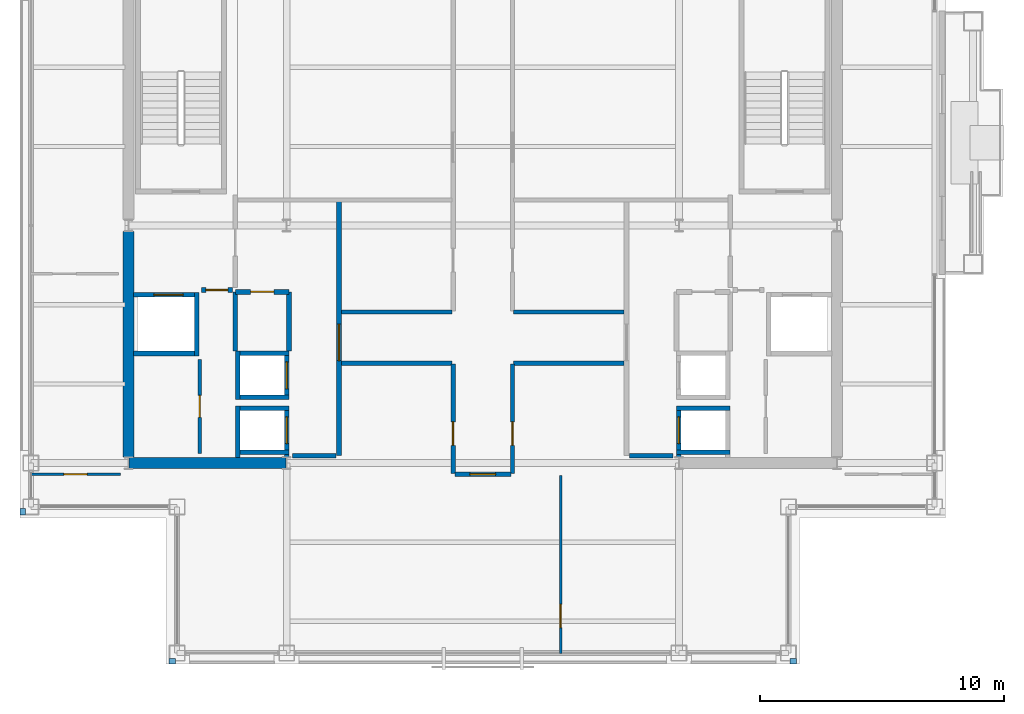
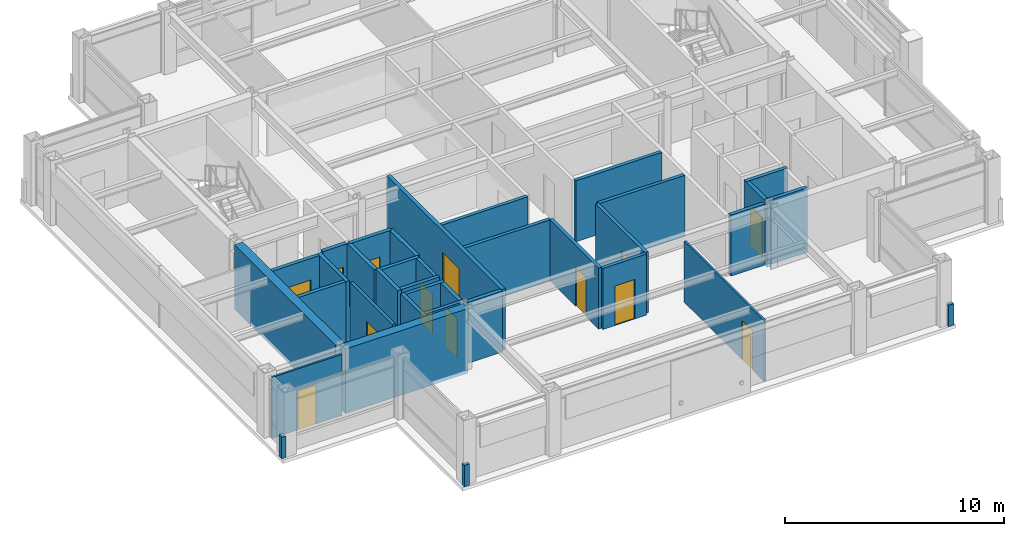
# One storey, part 19 of 23: 36 walls, 13 doors, 13 openings.
"""IFC4 building model written with IfcOpenShell, lengths in metres."""

from ifc_helpers import new_model, si_unit, direction, frame, frame_2d, origin, place, context, subcontext, project, spatial, rectangle, extrude, material, layer, layer_set, type_object, element, fill, save


model = new_model("IFC4")

# Units and contexts
model_context = context("Model", 3, precision=1e-05, world=origin(), true_north=direction((0.0, 1.0)))
body_context = subcontext(model_context, "Body", "Model", "MODEL_VIEW")
ifc_project = project(units=[si_unit("LENGTHUNIT", "METRE"), si_unit("AREAUNIT", "SQUARE_METRE"), si_unit("VOLUMEUNIT", "CUBIC_METRE"), si_unit("PLANEANGLEUNIT", "RADIAN"), si_unit("MASSUNIT", "GRAM", prefix="KILO")], contexts=[model_context])

# Site, building, storey
site_placement = place(None, origin())
site = spatial("IfcSite", under=ifc_project, at=site_placement, CompositionType="ELEMENT")
building_placement = place(site_placement, origin())
building = spatial("IfcBuilding", under=site, at=building_placement, Name="Brelmoor Portico Tower", CompositionType="ELEMENT")
storey_placement = place(building_placement, frame((0.0, 0.0, 222.0)))
storey = spatial("IfcBuildingStorey", under=building, at=storey_placement, Name="L58", CompositionType="ELEMENT", Elevation=222.0)

# Walls
ifc_material_1 = material(Name="Concrete C50", Category="concrete")
ifc_layer_1 = layer(ifc_material_1, 0.449951171875)
ifc_layer_set_1 = layer_set([ifc_layer_1], Name="Concrete C50")
wall_type_1 = type_object("IfcWallType", Name="WL-CORE-450", PredefinedType="SHEAR", material=ifc_layer_set_1)
wall_1_placement = place(storey_placement, frame((-14.530029296875, -9.75, -0.199951171875), z_axis=(0.0, 0.0, 1.0), x_axis=(1.0, 0.0, 0.0)))
element("IfcWall", 1, at=wall_1_placement, inside=storey, type_object=wall_type_1, Name="L58 WC South Shear Wall", PredefinedType="SHEAR", context=body_context, shape_type="SweptSolid", body=[
    extrude(rectangle(XDim=6.4599609375, YDim=0.449951171875, at=frame_2d((3.22998046875, 0.0))), origin(), (0.0, 0.0, 1.0), 3.599853515625),
])
wall_2_placement = place(storey_placement, frame((-14.550048828125, -9.5, -0.199951171875), z_axis=(0.0, 0.0, 1.0), x_axis=(0.0, 1.0, 0.0)))
element("IfcWall", 2, at=wall_2_placement, inside=storey, type_object=wall_type_1, Name="L58 WC Outer South Shear Wall", PredefinedType="SHEAR", context=body_context, shape_type="SweptSolid", body=[
    extrude(rectangle(XDim=9.25, YDim=0.449951171875, at=frame_2d((4.625, 0.0))), origin(), (0.0, 0.0, 1.0), 3.599853515625),
])
ifc_material_2 = material(Name="Concrete C40 Parapet Upstand", Category="concrete")
ifc_layer_2 = layer(ifc_material_2, 0.219970703125)
ifc_layer_set_2 = layer_set([ifc_layer_2], Name="Concrete C40 Parapet Upstand")
wall_type_2 = type_object("IfcWallType", Name="WL-PARAPET-220", PredefinedType="PARAPET", material=ifc_layer_set_2)
for number, where, z_axis, x_axis, name in (
    (3, (-12.889892578125, -17.889892578125, 0.0), (0.0, 0.0, 1.0), (1.0, 0.0, 0.0), "L58 Chamfer Vertex Parapet Pier SW1"),
    (4, (-18.889892578125, -11.889892578125, 0.0), (0.0, 0.0, 1.0), (0.0, 1.0, 0.0), "L58 Chamfer Vertex Parapet Pier SW2"),
    (5, (12.6201171875, -17.889892578125, 0.0), (0.0, 0.0, 1.0), (1.0, 0.0, 0.0), "L58 Chamfer Vertex Parapet Pier SE1"),
):
    element("IfcWall", number, at=place(storey_placement, frame(where, z_axis=z_axis, x_axis=x_axis)), inside=storey, type_object=wall_type_2, Name=name, PredefinedType="PARAPET", context=body_context, shape_type="SweptSolid", body=[
        extrude(rectangle(XDim=0.269775390625, YDim=0.219970703125, at=frame_2d((0.134765625, 0.0))), origin(), (0.0, 0.0, 1.0), 1.199951171875),
    ])

# Wall, opening, door
ifc_material_3 = material(Name="Demountable Glazed Office Partition", Category="aluminium")
ifc_layer_3 = layer(ifc_material_3, 0.10009765625)
ifc_layer_set_3 = layer_set([ifc_layer_3], Name="Demountable Glazed Office Partition")
wall_type_3 = type_object("IfcWallType", Name="WL-PART-100", PredefinedType="PARTITIONING", material=ifc_layer_set_3)
wall_3_placement = place(storey_placement, frame((3.19482421875, -17.56005859375, 0.0), z_axis=(0.0, 0.0, 1.0), x_axis=(0.0, 1.0, 0.0)))
wall_3 = element("IfcWall", 6, at=wall_3_placement, inside=storey, type_object=wall_type_3, Name="L58 South Suite Partition 1", PredefinedType="PARTITIONING", context=body_context, shape_type="SweptSolid", body=[
    extrude(rectangle(XDim=7.2900390625, YDim=0.10009765625, at=frame_2d((3.64501953125, 0.0))), origin(), (0.0, 0.0, 1.0), 3.39990234375),
])
opening_1_placement = place(wall_3_placement, frame((1.050048828125, 0.0, 0.0)))
opening_1 = element("IfcOpeningElement", 7, at=opening_1_placement, cuts=wall_3, Name="Opening D-IN2", PredefinedType="OPENING", context=body_context, shape_type="SweptSolid", body=[
    extrude(rectangle(XDim=0.9599609375, YDim=2.179931640625, at=frame_2d((0.47998046875, 1.08984375))), frame((0.0, 0.06005859375, 0.0), z_axis=(0.0, -1.0, 0.0), x_axis=(1.0, 0.0, 0.0)), (0.0, 0.0, 1.0), 0.1201171875),
])
ifc_material_4 = material(Name="Lacquered Timber Suite Door", Category="wood")
door_type_1 = type_object("IfcDoorType", Name="DR-INT-950", OperationType="NOTDEFINED", PredefinedType="DOOR", material=ifc_material_4)
door_1_placement = place(opening_1_placement, origin())
door_1 = element("IfcDoor", 8, at=door_1_placement, inside=storey, type_object=door_type_1, Name="D-2420 L58 South Suite Connecting Door 1", OperationType="SINGLE_SWING_RIGHT", OverallHeight=2.179931640625, OverallWidth=0.9599609375, PredefinedType="DOOR", context=body_context, shape_type="SweptSolid", body=[
    extrude(rectangle(XDim=0.9599609375, YDim=2.179931640625, at=frame_2d((0.47998046875, 1.08984375))), frame((0.0, 0.02490234375, 0.0), z_axis=(0.0, -1.0, 0.0), x_axis=(1.0, 0.0, 0.0)), (0.0, 0.0, 1.0), 0.050048828125),
])
fill(opening_1, door_1)

wall_4_placement = place(storey_placement, frame((-18.56005859375, -10.2099609375, 0.0), z_axis=(0.0, 0.0, 1.0), x_axis=(1.0, 0.0, 0.0)))
wall_4 = element("IfcWall", 9, at=wall_4_placement, inside=storey, type_object=wall_type_3, Name="L58 South Wing Closure WL", PredefinedType="PARTITIONING", context=body_context, shape_type="SweptSolid", body=[
    extrude(rectangle(XDim=3.68017578125, YDim=0.10009765625, at=frame_2d((1.840087890625, 0.0))), origin(), (0.0, 0.0, 1.0), 3.39990234375),
])
opening_2_placement = place(wall_4_placement, frame((1.360107421875, 0.0, 0.0)))
opening_2 = element("IfcOpeningElement", 10, at=opening_2_placement, cuts=wall_4, Name="Opening D-IN2", PredefinedType="OPENING", context=body_context, shape_type="SweptSolid", body=[
    extrude(rectangle(XDim=0.9599609375, YDim=2.179931640625, at=frame_2d((0.47998046875, 1.08984375))), frame((0.0, 0.06005859375, 0.0), z_axis=(0.0, -1.0, 0.0), x_axis=(1.0, 0.0, 0.0)), (0.0, 0.0, 1.0), 0.1201171875),
])
door_2_placement = place(opening_2_placement, origin())
door_2 = element("IfcDoor", 11, at=door_2_placement, inside=storey, type_object=door_type_1, Name="D-2424 L58 WL Wing South Suite Door", OperationType="SINGLE_SWING_RIGHT", OverallHeight=2.179931640625, OverallWidth=0.9599609375, PredefinedType="DOOR", context=body_context, shape_type="SweptSolid", body=[
    extrude(rectangle(XDim=0.9599609375, YDim=2.179931640625, at=frame_2d((0.47998046875, 1.08984375))), frame((0.0, 0.02490234375, 0.0), z_axis=(0.0, -1.0, 0.0), x_axis=(1.0, 0.0, 0.0)), (0.0, 0.0, 1.0), 0.050048828125),
])
fill(opening_2, door_2)

ifc_material_5 = material(Name="Twin-Frame Acoustic Partition", Category="gypsum")
ifc_layer_4 = layer(ifc_material_5, 0.159912109375)
ifc_layer_set_4 = layer_set([ifc_layer_4], Name="Twin-Frame Acoustic Partition")
wall_type_4 = type_object("IfcWallType", Name="WL-PART-160", PredefinedType="PARTITIONING", material=ifc_layer_set_4)
wall_5_placement = place(storey_placement, frame((-11.6201171875, -9.35009765625, 0.0), z_axis=(0.0, 0.0, 1.0), x_axis=(0.0, 1.0, 0.0)))
wall_5 = element("IfcWall", 12, at=wall_5_placement, inside=storey, type_object=wall_type_4, Name="L58 W Core Service Front Wall", PredefinedType="PARTITIONING", context=body_context, shape_type="SweptSolid", body=[
    extrude(rectangle(XDim=3.85009765625, YDim=0.159912109375, at=frame_2d((1.925048828125, 0.0))), origin(), (0.0, 0.0, 1.0), 3.39990234375),
])
opening_3_placement = place(wall_5_placement, frame((1.47509765625, 0.0, 0.0)))
opening_3 = element("IfcOpeningElement", 13, at=opening_3_placement, cuts=wall_5, Name="Opening D-IN1", PredefinedType="OPENING", context=body_context, shape_type="SweptSolid", body=[
    extrude(rectangle(XDim=0.89990234375, YDim=2.14990234375, at=frame_2d((0.449951171875, 1.074951171875))), frame((0.0, 0.08984375, 0.0), z_axis=(0.0, -1.0, 0.0), x_axis=(1.0, 0.0, 0.0)), (0.0, 0.0, 1.0), 0.179931640625),
])
door_type_2 = type_object("IfcDoorType", Name="DR-INT-900", OperationType="NOTDEFINED", PredefinedType="DOOR", material=ifc_material_4)
door_3_placement = place(opening_3_placement, origin())
door_3 = element("IfcDoor", 14, at=door_3_placement, inside=storey, type_object=door_type_2, Name="D-2407 L58 W Accessible WC Door", OperationType="SINGLE_SWING_RIGHT", OverallHeight=2.14990234375, OverallWidth=0.89990234375, PredefinedType="DOOR", context=body_context, shape_type="SweptSolid", body=[
    extrude(rectangle(XDim=0.89990234375, YDim=2.14990234375, at=frame_2d((0.449951171875, 1.074951171875))), frame((0.0, 0.02490234375, 0.0), z_axis=(0.0, -1.0, 0.0), x_axis=(1.0, 0.0, 0.0)), (0.0, 0.0, 1.0), 0.050048828125),
])
fill(opening_3, door_3)

# Walls
ifc_material_6 = material(Name="Acoustic Corridor Fire Partition", Category="gypsum")
ifc_layer_5 = layer(ifc_material_6, 0.179931640625)
ifc_layer_set_5 = layer_set([ifc_layer_5], Name="Acoustic Corridor Fire Partition")
wall_type_5 = type_object("IfcWallType", Name="WL-PART-180", PredefinedType="PARTITIONING", material=ifc_layer_set_5)
for number, where, z_axis, x_axis, name in (
    (15, (-5.800048828125, -3.550048828125, 0.0), (0.0, 0.0, 1.0), (1.0, 0.0, 0.0), "L58 West Pantry South Wall"),
    (16, (1.260009765625, -3.550048828125, 0.0), (0.0, 0.0, 1.0), (1.0, 0.0, 0.0), "L58 East Office South Wall"),
):
    element("IfcWall", number, at=place(storey_placement, frame(where, z_axis=z_axis, x_axis=x_axis)), inside=storey, type_object=wall_type_5, Name=name, PredefinedType="PARTITIONING", context=body_context, shape_type="SweptSolid", body=[
        extrude(rectangle(XDim=4.5400390625, YDim=0.179931640625, at=frame_2d((2.27001953125, 0.0))), origin(), (0.0, 0.0, 1.0), 3.39990234375),
    ])

# Wall, opening, door
wall_6_placement = place(storey_placement, frame((-1.219970703125, -10.169921875, 0.0), z_axis=(0.0, 0.0, 1.0), x_axis=(0.0, 1.0, 0.0)))
wall_6 = element("IfcWall", 17, at=wall_6_placement, inside=storey, type_object=wall_type_5, Name="L58 South Cross West Wall", PredefinedType="PARTITIONING", context=body_context, shape_type="SweptSolid", body=[
    extrude(rectangle(XDim=4.489990234375, YDim=0.179931640625, at=frame_2d((2.2451171875, 0.0))), origin(), (0.0, 0.0, 1.0), 3.39990234375),
])
opening_4_placement = place(wall_6_placement, frame((1.14990234375, 0.0, 0.0)))
opening_4 = element("IfcOpeningElement", 18, at=opening_4_placement, cuts=wall_6, Name="Opening D-IN2", PredefinedType="OPENING", context=body_context, shape_type="SweptSolid", body=[
    extrude(rectangle(XDim=0.9599609375, YDim=2.179931640625, at=frame_2d((0.47998046875, 1.08984375))), frame((0.0, 0.099853515625, 0.0), z_axis=(0.0, -1.0, 0.0), x_axis=(1.0, 0.0, 0.0)), (0.0, 0.0, 1.0), 0.199951171875),
])
door_4_placement = place(opening_4_placement, origin())
door_4 = element("IfcDoor", 19, at=door_4_placement, inside=storey, type_object=door_type_1, Name="D-2401 L58 South-West Archive Room Door", OperationType="SINGLE_SWING_LEFT", OverallHeight=2.179931640625, OverallWidth=0.9599609375, PredefinedType="DOOR", context=body_context, shape_type="SweptSolid", body=[
    extrude(rectangle(XDim=0.9599609375, YDim=2.179931640625, at=frame_2d((0.47998046875, 1.08984375))), frame((0.0, 0.02490234375, 0.0), z_axis=(0.0, -1.0, 0.0), x_axis=(1.0, 0.0, 0.0)), (0.0, 0.0, 1.0), 0.050048828125),
])
fill(opening_4, door_4)

wall_7_placement = place(storey_placement, frame((1.219970703125, -10.169921875, 0.0), z_axis=(0.0, 0.0, 1.0), x_axis=(0.0, 1.0, 0.0)))
wall_7 = element("IfcWall", 20, at=wall_7_placement, inside=storey, type_object=wall_type_5, Name="L58 South Cross East Wall", PredefinedType="PARTITIONING", context=body_context, shape_type="SweptSolid", body=[
    extrude(rectangle(XDim=4.489990234375, YDim=0.179931640625, at=frame_2d((2.2451171875, 0.0))), origin(), (0.0, 0.0, 1.0), 3.39990234375),
])
opening_5_placement = place(wall_7_placement, frame((1.14990234375, 0.0, 0.0)))
opening_5 = element("IfcOpeningElement", 21, at=opening_5_placement, cuts=wall_7, Name="Opening D-IN2", PredefinedType="OPENING", context=body_context, shape_type="SweptSolid", body=[
    extrude(rectangle(XDim=0.9599609375, YDim=2.179931640625, at=frame_2d((0.47998046875, 1.08984375))), frame((0.0, 0.099853515625, 0.0), z_axis=(0.0, -1.0, 0.0), x_axis=(1.0, 0.0, 0.0)), (0.0, 0.0, 1.0), 0.199951171875),
])
door_5_placement = place(opening_5_placement, origin())
door_5 = element("IfcDoor", 22, at=door_5_placement, inside=storey, type_object=door_type_1, Name="D-2400 L58 South-East Partner Office Door", OperationType="SINGLE_SWING_RIGHT", OverallHeight=2.179931640625, OverallWidth=0.9599609375, PredefinedType="DOOR", context=body_context, shape_type="SweptSolid", body=[
    extrude(rectangle(XDim=0.9599609375, YDim=2.179931640625, at=frame_2d((0.47998046875, 1.08984375))), frame((0.0, 0.02490234375, 0.0), z_axis=(0.0, -1.0, 0.0), x_axis=(1.0, 0.0, 0.0)), (0.0, 0.0, 1.0), 0.050048828125),
])
fill(opening_5, door_5)

# Walls
for number, where, z_axis, x_axis, name in (
    (23, (-5.800048828125, -5.64990234375, 0.0), (0.0, 0.0, 1.0), (1.0, 0.0, 0.0), "L58 South-West Chamber Top Wall"),
    (24, (1.260009765625, -5.64990234375, 0.0), (0.0, 0.0, 1.0), (1.0, 0.0, 0.0), "L58 South-East Chamber Top Wall"),
):
    element("IfcWall", number, at=place(storey_placement, frame(where, z_axis=z_axis, x_axis=x_axis)), inside=storey, type_object=wall_type_5, Name=name, PredefinedType="PARTITIONING", context=body_context, shape_type="SweptSolid", body=[
        extrude(rectangle(XDim=4.5400390625, YDim=0.179931640625, at=frame_2d((2.27001953125, 0.0))), origin(), (0.0, 0.0, 1.0), 3.39990234375),
    ])

# Wall, opening, door
wall_8_placement = place(storey_placement, frame((-1.14990234375, -10.2099609375, 0.0), z_axis=(0.0, 0.0, 1.0), x_axis=(1.0, 0.0, 0.0)))
wall_8 = element("IfcWall", 25, at=wall_8_placement, inside=storey, type_object=wall_type_5, Name="L58 South Corridor Partition", PredefinedType="PARTITIONING", context=body_context, shape_type="SweptSolid", body=[
    extrude(rectangle(XDim=2.2998046875, YDim=0.179931640625, at=frame_2d((1.14990234375, 0.0))), origin(), (0.0, 0.0, 1.0), 3.39990234375),
])
opening_6_placement = place(wall_8_placement, frame((0.6201171875, 0.0, 0.0)))
opening_6 = element("IfcOpeningElement", 26, at=opening_6_placement, cuts=wall_8, Name="Opening D-OF2", PredefinedType="OPENING", context=body_context, shape_type="SweptSolid", body=[
    extrude(rectangle(XDim=1.06005859375, YDim=2.199951171875, at=frame_2d((0.530029296875, 1.10009765625))), frame((0.0, 0.099853515625, 0.0), z_axis=(0.0, -1.0, 0.0), x_axis=(1.0, 0.0, 0.0)), (0.0, 0.0, 1.0), 0.199951171875),
])
ifc_material_7 = material(Name="Hardwood Acoustic Veneer Door", Category="wood")
door_type_3 = type_object("IfcDoorType", Name="DR-OFFICE-1050", OperationType="NOTDEFINED", PredefinedType="DOOR", material=ifc_material_7)
door_6_placement = place(opening_6_placement, origin())
door_6 = element("IfcDoor", 27, at=door_6_placement, inside=storey, type_object=door_type_3, Name="D-2419 L58 South Executive Study 1 Door", OperationType="SINGLE_SWING_LEFT", OverallHeight=2.199951171875, OverallWidth=1.06005859375, PredefinedType="DOOR", context=body_context, shape_type="SweptSolid", body=[
    extrude(rectangle(XDim=1.06005859375, YDim=2.199951171875, at=frame_2d((0.530029296875, 1.10009765625))), frame((0.0, 0.02490234375, 0.0), z_axis=(0.0, -1.0, 0.0), x_axis=(1.0, 0.0, 0.0)), (0.0, 0.0, 1.0), 0.050048828125),
])
fill(opening_6, door_6)

ifc_material_8 = material(Name="Double-Stud Gypsum Fire Partition", Category="gypsum")
ifc_layer_6 = layer(ifc_material_8, 0.199951171875)
ifc_layer_set_6 = layer_set([ifc_layer_6], Name="Double-Stud Gypsum Fire Partition")
wall_type_6 = type_object("IfcWallType", Name="WL-PART-200", PredefinedType="PARTITIONING", material=ifc_layer_set_6)
wall_9_placement = place(storey_placement, frame((-5.89990234375, -9.449951171875, 0.0), z_axis=(0.0, 0.0, 1.0), x_axis=(0.0, 1.0, 0.0)))
wall_9 = element("IfcWall", 28, at=wall_9_placement, inside=storey, type_object=wall_type_6, Name="L58 W Core Lobby Compartment Wall", PredefinedType="PARTITIONING", context=body_context, shape_type="SweptSolid", body=[
    extrude(rectangle(XDim=10.5, YDim=0.199951171875, at=frame_2d((5.25, 0.0))), origin(), (0.0, 0.0, 1.0), 3.39990234375),
])
opening_7_placement = place(wall_9_placement, frame((3.89990234375, 0.0, 0.0)))
opening_7 = element("IfcOpeningElement", 29, at=opening_7_placement, cuts=wall_9, Name="Opening D-LB1", PredefinedType="OPENING", context=body_context, shape_type="SweptSolid", body=[
    extrude(rectangle(XDim=1.5, YDim=2.199951171875, at=frame_2d((0.75, 1.10009765625))), frame((0.0, 0.10986328125, 0.0), z_axis=(0.0, -1.0, 0.0), x_axis=(1.0, 0.0, 0.0)), (0.0, 0.0, 1.0), 0.219970703125),
])
ifc_material_9 = material(Name="Double-Leaf Glazed Steel Fire Door", Category="steel")
door_type_4 = type_object("IfcDoorType", Name="DR-LOBBY-1500", OperationType="NOTDEFINED", PredefinedType="DOOR", material=ifc_material_9)
door_7_placement = place(opening_7_placement, origin())
door_7 = element("IfcDoor", 30, at=door_7_placement, inside=storey, type_object=door_type_4, Name="D-2413 L58 W Lift Lobby Main Door", OperationType="DOUBLE_DOOR_SINGLE_SWING", OverallHeight=2.199951171875, OverallWidth=1.5, PredefinedType="DOOR", context=body_context, shape_type="SweptSolid", body=[
    extrude(rectangle(XDim=1.5, YDim=2.199951171875, at=frame_2d((0.75, 1.10009765625))), frame((0.0, 0.02490234375, 0.0), z_axis=(0.0, -1.0, 0.0), x_axis=(1.0, 0.0, 0.0)), (0.0, 0.0, 1.0), 0.050048828125),
])
fill(opening_7, door_7)

# Wall
wall_10_placement = place(storey_placement, frame((-6.02001953125, -9.449951171875, 0.0), z_axis=(0.0, 0.0, 1.0), x_axis=(-1.0, 0.0, 0.0)))
element("IfcWall", 31, at=wall_10_placement, inside=storey, type_object=wall_type_6, Name="L58 W Lift Lobby South End Wall", PredefinedType="PARTITIONING", context=body_context, shape_type="SweptSolid", body=[
    extrude(rectangle(XDim=1.800048828125, YDim=0.199951171875, at=frame_2d((0.89990234375, 0.0))), origin(), (0.0, 0.0, 1.0), 3.39990234375),
])

# Wall, opening, door
wall_11_placement = place(storey_placement, frame((-10.280029296875, -2.64990234375, 0.0), z_axis=(0.0, 0.0, 1.0), x_axis=(-1.0, 0.0, 0.0)))
wall_11 = element("IfcWall", 32, at=wall_11_placement, inside=storey, type_object=wall_type_6, Name="L58 W Firefighting Lobby South Wall", PredefinedType="PARTITIONING", context=body_context, shape_type="SweptSolid", body=[
    extrude(rectangle(XDim=1.27001953125, YDim=0.199951171875, at=frame_2d((0.635009765625, 0.0))), origin(), (0.0, 0.0, 1.0), 3.39990234375),
])
opening_8_placement = place(wall_11_placement, frame((0.18505859375, 0.0, 0.0)))
opening_8 = element("IfcOpeningElement", 33, at=opening_8_placement, cuts=wall_11, Name="Opening D-IN1", PredefinedType="OPENING", context=body_context, shape_type="SweptSolid", body=[
    extrude(rectangle(XDim=0.89990234375, YDim=2.14990234375, at=frame_2d((0.449951171875, 1.074951171875))), frame((0.0, 0.10986328125, 0.0), z_axis=(0.0, -1.0, 0.0), x_axis=(1.0, 0.0, 0.0)), (0.0, 0.0, 1.0), 0.219970703125),
])
door_8_placement = place(opening_8_placement, origin())
door_8 = element("IfcDoor", 34, at=door_8_placement, inside=storey, type_object=door_type_2, Name="D-2406 L58 W Core Service Vestibule Door", OperationType="SINGLE_SWING_RIGHT", OverallHeight=2.14990234375, OverallWidth=0.89990234375, PredefinedType="DOOR", context=body_context, shape_type="SweptSolid", body=[
    extrude(rectangle(XDim=0.89990234375, YDim=2.14990234375, at=frame_2d((0.449951171875, 1.074951171875))), frame((0.0, 0.02490234375, 0.0), z_axis=(0.0, -1.0, 0.0), x_axis=(1.0, 0.0, 0.0)), (0.0, 0.0, 1.0), 0.050048828125),
])
fill(opening_8, door_8)

wall_12_placement = place(storey_placement, frame((-7.9599609375, -2.719970703125, 0.0), z_axis=(0.0, 0.0, 1.0), x_axis=(-1.0, 0.0, 0.0)))
wall_12 = element("IfcWall", 35, at=wall_12_placement, inside=storey, type_object=wall_type_6, Name="L58 W Electrical Switchgear Closet Wall", PredefinedType="PARTITIONING", context=body_context, shape_type="SweptSolid", body=[
    extrude(rectangle(XDim=2.199951171875, YDim=0.199951171875, at=frame_2d((1.10009765625, 0.0))), origin(), (0.0, 0.0, 1.0), 3.39990234375),
])
opening_9_placement = place(wall_12_placement, frame((0.6201171875, 0.0, 0.0)))
opening_9 = element("IfcOpeningElement", 36, at=opening_9_placement, cuts=wall_12, Name="Opening D-FR4", PredefinedType="OPENING", context=body_context, shape_type="SweptSolid", body=[
    extrude(rectangle(XDim=0.949951171875, YDim=2.10009765625, at=frame_2d((0.47509765625, 1.050048828125))), frame((0.0, 0.10986328125, 0.0), z_axis=(0.0, -1.0, 0.0), x_axis=(1.0, 0.0, 0.0)), (0.0, 0.0, 1.0), 0.219970703125),
])
ifc_material_10 = material(Name="Painted Galvanised Steel Riser Door", Category="steel")
door_type_5 = type_object("IfcDoorType", Name="DR-FIRE-950", OperationType="NOTDEFINED", PredefinedType="DOOR", material=ifc_material_10)
door_9_placement = place(opening_9_placement, origin())
door_9 = element("IfcDoor", 37, at=door_9_placement, inside=storey, type_object=door_type_5, Name="D-2409 L58 W Electrical Switchgear Closet Door", OperationType="SINGLE_SWING_LEFT", OverallHeight=2.10009765625, OverallWidth=0.949951171875, PredefinedType="DOOR", context=body_context, shape_type="SweptSolid", body=[
    extrude(rectangle(XDim=0.949951171875, YDim=2.10009765625, at=frame_2d((0.47509765625, 1.050048828125))), frame((0.0, 0.02490234375, 0.0), z_axis=(0.0, -1.0, 0.0), x_axis=(1.0, 0.0, 0.0)), (0.0, 0.0, 1.0), 0.050048828125),
])
fill(opening_9, door_9)

# Walls
for number, where, z_axis, x_axis, name in (
    (38, (-7.9599609375, -5.159912109375, 0.0), (0.0, 0.0, 1.0), (0.0, 1.0, 0.0), "L58 W Electrical Switchgear Closet Inner Wall"),
    (39, (-10.159912109375, -5.159912109375, 0.0), (0.0, 0.0, 1.0), (0.0, 1.0, 0.0), "L58 W Electrical Switchgear Closet Outer Wall"),
):
    element("IfcWall", number, at=place(storey_placement, frame(where, z_axis=z_axis, x_axis=x_axis)), inside=storey, type_object=wall_type_6, Name=name, PredefinedType="PARTITIONING", context=body_context, shape_type="SweptSolid", body=[
        extrude(rectangle(XDim=2.43994140625, YDim=0.199951171875, at=frame_2d((1.219970703125, 0.0))), origin(), (0.0, 0.0, 1.0), 3.39990234375),
    ])
wall_13_placement = place(storey_placement, frame((6.02001953125, -9.449951171875, 0.0), z_axis=(0.0, 0.0, 1.0), x_axis=(1.0, 0.0, 0.0)))
element("IfcWall", 40, at=wall_13_placement, inside=storey, type_object=wall_type_6, Name="L58 E Lift Lobby South End Wall", PredefinedType="PARTITIONING", context=body_context, shape_type="SweptSolid", body=[
    extrude(rectangle(XDim=1.800048828125, YDim=0.199951171875, at=frame_2d((0.89990234375, 0.0))), origin(), (0.0, 0.0, 1.0), 3.39990234375),
])

# Wall, opening, door
ifc_material_11 = material(Name="Precast Concrete C40", Category="concrete")
ifc_layer_7 = layer(ifc_material_11, 0.18994140625)
ifc_layer_set_7 = layer_set([ifc_layer_7], Name="Precast Concrete C40")
wall_type_7 = type_object("IfcWallType", Name="WL-SHAFT-180", PredefinedType="SOLIDWALL", material=ifc_layer_set_7)
wall_14_placement = place(storey_placement, frame((-8.044921875, -9.52001953125, -0.199951171875), z_axis=(0.0, 0.0, 1.0), x_axis=(0.0, 1.0, 0.0)))
wall_14 = element("IfcWall", 41, at=wall_14_placement, inside=storey, type_object=wall_type_7, Name="L58 Lift PH1 Hoistway Front Wall", PredefinedType="SOLIDWALL", context=body_context, shape_type="SweptSolid", body=[
    extrude(rectangle(XDim=2.1201171875, YDim=0.18994140625, at=frame_2d((1.06005859375, 0.0))), origin(), (0.0, 0.0, 1.0), 3.599853515625),
])
opening_10_placement = place(wall_14_placement, frame((0.570068359375, 0.0, 0.199951171875)))
opening_10 = element("IfcOpeningElement", 42, at=opening_10_placement, cuts=wall_14, Name="Opening LD-01", PredefinedType="OPENING", context=body_context, shape_type="SweptSolid", body=[
    extrude(rectangle(XDim=1.10009765625, YDim=2.199951171875, at=frame_2d((0.550048828125, 1.10009765625))), frame((0.0, 0.10498046875, 0.0), z_axis=(0.0, -1.0, 0.0), x_axis=(1.0, 0.0, 0.0)), (0.0, 0.0, 1.0), 0.2099609375),
])
ifc_material_12 = material(Name="Brushed Stainless Steel Sliding Lift Door", Category="steel")
door_type_6 = type_object("IfcDoorType", Name="DR-LIFT-1100", OperationType="NOTDEFINED", PredefinedType="DOOR", material=ifc_material_12)
door_10_placement = place(opening_10_placement, origin())
door_10 = element("IfcDoor", 43, at=door_10_placement, inside=storey, type_object=door_type_6, Name="D-2430 L58 Lift PH1 Sliding Landing Door", OperationType="SLIDING_TO_LEFT", OverallHeight=2.199951171875, OverallWidth=1.10009765625, PredefinedType="DOOR", context=body_context, shape_type="SweptSolid", body=[
    extrude(rectangle(XDim=1.10009765625, YDim=2.199951171875, at=frame_2d((0.550048828125, 1.10009765625))), frame((0.0, 0.02490234375, 0.0), z_axis=(0.0, -1.0, 0.0), x_axis=(1.0, 0.0, 0.0)), (0.0, 0.0, 1.0), 0.050048828125),
])
fill(opening_10, door_10)

# Walls
wall_15_placement = place(storey_placement, frame((-10.054931640625, -9.52001953125, -0.199951171875), z_axis=(0.0, 0.0, 1.0), x_axis=(0.0, 1.0, 0.0)))
element("IfcWall", 44, at=wall_15_placement, inside=storey, type_object=wall_type_7, Name="L58 Lift PH1 Hoistway Back Wall", PredefinedType="SOLIDWALL", context=body_context, shape_type="SweptSolid", body=[
    extrude(rectangle(XDim=2.1201171875, YDim=0.18994140625, at=frame_2d((1.06005859375, 0.0))), origin(), (0.0, 0.0, 1.0), 3.599853515625),
])
for number, where, z_axis, x_axis, name in (
    (45, (-10.14990234375, -7.4951171875, -0.199951171875), (0.0, 0.0, 1.0), (1.0, 0.0, 0.0), "L58 Lift PH1 Hoistway North Wall"),
    (46, (-10.14990234375, -9.304931640625, -0.199951171875), (0.0, 0.0, 1.0), (1.0, 0.0, 0.0), "L58 Lift PH1 Hoistway South Wall"),
):
    element("IfcWall", number, at=place(storey_placement, frame(where, z_axis=z_axis, x_axis=x_axis)), inside=storey, type_object=wall_type_7, Name=name, PredefinedType="SOLIDWALL", context=body_context, shape_type="SweptSolid", body=[
        extrude(rectangle(XDim=2.199951171875, YDim=0.18994140625, at=frame_2d((1.10009765625, 0.0))), origin(), (0.0, 0.0, 1.0), 3.599853515625),
    ])

# Wall, opening, door
wall_16_placement = place(storey_placement, frame((-8.044921875, -7.14990234375, -0.199951171875), z_axis=(0.0, 0.0, 1.0), x_axis=(0.0, 1.0, 0.0)))
wall_16 = element("IfcWall", 47, at=wall_16_placement, inside=storey, type_object=wall_type_7, Name="L58 Lift PH2 Hoistway Front Wall", PredefinedType="SOLIDWALL", context=body_context, shape_type="SweptSolid", body=[
    extrude(rectangle(XDim=2.0, YDim=0.18994140625, at=frame_2d((1.0, 0.0))), origin(), (0.0, 0.0, 1.0), 3.599853515625),
])
opening_11_placement = place(wall_16_placement, frame((0.449951171875, 0.0, 0.199951171875)))
opening_11 = element("IfcOpeningElement", 48, at=opening_11_placement, cuts=wall_16, Name="Opening LD-01", PredefinedType="OPENING", context=body_context, shape_type="SweptSolid", body=[
    extrude(rectangle(XDim=1.10009765625, YDim=2.199951171875, at=frame_2d((0.550048828125, 1.10009765625))), frame((0.0, 0.10498046875, 0.0), z_axis=(0.0, -1.0, 0.0), x_axis=(1.0, 0.0, 0.0)), (0.0, 0.0, 1.0), 0.2099609375),
])
door_11_placement = place(opening_11_placement, origin())
door_11 = element("IfcDoor", 49, at=door_11_placement, inside=storey, type_object=door_type_6, Name="D-2431 L58 Lift PH2 Sliding Landing Door", OperationType="SLIDING_TO_LEFT", OverallHeight=2.199951171875, OverallWidth=1.10009765625, PredefinedType="DOOR", context=body_context, shape_type="SweptSolid", body=[
    extrude(rectangle(XDim=1.10009765625, YDim=2.199951171875, at=frame_2d((0.550048828125, 1.10009765625))), frame((0.0, 0.02490234375, 0.0), z_axis=(0.0, -1.0, 0.0), x_axis=(1.0, 0.0, 0.0)), (0.0, 0.0, 1.0), 0.050048828125),
])
fill(opening_11, door_11)

# Walls
wall_17_placement = place(storey_placement, frame((-10.054931640625, -7.14990234375, -0.199951171875), z_axis=(0.0, 0.0, 1.0), x_axis=(0.0, 1.0, 0.0)))
element("IfcWall", 50, at=wall_17_placement, inside=storey, type_object=wall_type_7, Name="L58 Lift PH2 Hoistway Back Wall", PredefinedType="SOLIDWALL", context=body_context, shape_type="SweptSolid", body=[
    extrude(rectangle(XDim=2.0, YDim=0.18994140625, at=frame_2d((1.0, 0.0))), origin(), (0.0, 0.0, 1.0), 3.599853515625),
])
for number, where, z_axis, x_axis, name in (
    (51, (-10.14990234375, -5.2451171875, -0.199951171875), (0.0, 0.0, 1.0), (1.0, 0.0, 0.0), "L58 Lift PH2 Hoistway North Wall"),
    (52, (-10.14990234375, -7.054931640625, -0.199951171875), (0.0, 0.0, 1.0), (1.0, 0.0, 0.0), "L58 Lift PH2 Hoistway South Wall"),
):
    element("IfcWall", number, at=place(storey_placement, frame(where, z_axis=z_axis, x_axis=x_axis)), inside=storey, type_object=wall_type_7, Name=name, PredefinedType="SOLIDWALL", context=body_context, shape_type="SweptSolid", body=[
        extrude(rectangle(XDim=2.199951171875, YDim=0.18994140625, at=frame_2d((1.10009765625, 0.0))), origin(), (0.0, 0.0, 1.0), 3.599853515625),
    ])

# Wall, opening, door
wall_18_placement = place(storey_placement, frame((8.044921875, -9.52001953125, -0.199951171875), z_axis=(0.0, 0.0, 1.0), x_axis=(0.0, 1.0, 0.0)))
wall_18 = element("IfcWall", 53, at=wall_18_placement, inside=storey, type_object=wall_type_7, Name="L58 Lift PH3 Hoistway Front Wall", PredefinedType="SOLIDWALL", context=body_context, shape_type="SweptSolid", body=[
    extrude(rectangle(XDim=2.1201171875, YDim=0.18994140625, at=frame_2d((1.06005859375, 0.0))), origin(), (0.0, 0.0, 1.0), 3.599853515625),
])
opening_12_placement = place(wall_18_placement, frame((0.570068359375, 0.0, 0.199951171875)))
opening_12 = element("IfcOpeningElement", 54, at=opening_12_placement, cuts=wall_18, Name="Opening LD-01", PredefinedType="OPENING", context=body_context, shape_type="SweptSolid", body=[
    extrude(rectangle(XDim=1.10009765625, YDim=2.199951171875, at=frame_2d((0.550048828125, 1.10009765625))), frame((0.0, 0.10498046875, 0.0), z_axis=(0.0, -1.0, 0.0), x_axis=(1.0, 0.0, 0.0)), (0.0, 0.0, 1.0), 0.2099609375),
])
door_12_placement = place(opening_12_placement, origin())
door_12 = element("IfcDoor", 55, at=door_12_placement, inside=storey, type_object=door_type_6, Name="D-2432 L58 Lift PH3 Sliding Landing Door", OperationType="SLIDING_TO_LEFT", OverallHeight=2.199951171875, OverallWidth=1.10009765625, PredefinedType="DOOR", context=body_context, shape_type="SweptSolid", body=[
    extrude(rectangle(XDim=1.10009765625, YDim=2.199951171875, at=frame_2d((0.550048828125, 1.10009765625))), frame((0.0, 0.02490234375, 0.0), z_axis=(0.0, -1.0, 0.0), x_axis=(1.0, 0.0, 0.0)), (0.0, 0.0, 1.0), 0.050048828125),
])
fill(opening_12, door_12)

# Walls
for number, where, z_axis, x_axis, name in (
    (56, (7.949951171875, -7.4951171875, -0.199951171875), (0.0, 0.0, 1.0), (1.0, 0.0, 0.0), "L58 Lift PH3 Hoistway North Wall"),
    (57, (7.949951171875, -9.304931640625, -0.199951171875), (0.0, 0.0, 1.0), (1.0, 0.0, 0.0), "L58 Lift PH3 Hoistway South Wall"),
):
    element("IfcWall", number, at=place(storey_placement, frame(where, z_axis=z_axis, x_axis=x_axis)), inside=storey, type_object=wall_type_7, Name=name, PredefinedType="SOLIDWALL", context=body_context, shape_type="SweptSolid", body=[
        extrude(rectangle(XDim=2.199951171875, YDim=0.18994140625, at=frame_2d((1.10009765625, 0.0))), origin(), (0.0, 0.0, 1.0), 3.599853515625),
    ])

# Wall, opening, door
wall_19_placement = place(storey_placement, frame((-14.330078125, -2.844970703125, -0.199951171875), z_axis=(0.0, 0.0, 1.0), x_axis=(1.0, 0.0, 0.0)))
wall_19 = element("IfcWall", 58, at=wall_19_placement, inside=storey, type_object=wall_type_7, Name="L58 Lift FF1 Hoistway Front Wall", PredefinedType="SOLIDWALL", context=body_context, shape_type="SweptSolid", body=[
    extrude(rectangle(XDim=2.68017578125, YDim=0.18994140625, at=frame_2d((1.340087890625, 0.0))), origin(), (0.0, 0.0, 1.0), 3.599853515625),
])
opening_13_placement = place(wall_19_placement, frame((0.830078125, 0.0, 0.199951171875)))
opening_13 = element("IfcOpeningElement", 59, at=opening_13_placement, cuts=wall_19, Name="Opening LD-02", PredefinedType="OPENING", context=body_context, shape_type="SweptSolid", body=[
    extrude(rectangle(XDim=1.199951171875, YDim=2.199951171875, at=frame_2d((0.60009765625, 1.10009765625))), frame((0.0, 0.10498046875, 0.0), z_axis=(0.0, -1.0, 0.0), x_axis=(1.0, 0.0, 0.0)), (0.0, 0.0, 1.0), 0.2099609375),
])
ifc_material_13 = material(Name="Brushed Stainless Steel Firefighting Lift Door", Category="steel")
door_type_7 = type_object("IfcDoorType", Name="DR-LIFT-1200", OperationType="NOTDEFINED", PredefinedType="DOOR", material=ifc_material_13)
door_13_placement = place(opening_13_placement, origin())
door_13 = element("IfcDoor", 60, at=door_13_placement, inside=storey, type_object=door_type_7, Name="D-2428 L58 Lift FF1 Sliding Landing Door", OperationType="SLIDING_TO_LEFT", OverallHeight=2.199951171875, OverallWidth=1.199951171875, PredefinedType="DOOR", context=body_context, shape_type="SweptSolid", body=[
    extrude(rectangle(XDim=1.199951171875, YDim=2.199951171875, at=frame_2d((0.60009765625, 1.10009765625))), frame((0.0, 0.02490234375, 0.0), z_axis=(0.0, -1.0, 0.0), x_axis=(1.0, 0.0, 0.0)), (0.0, 0.0, 1.0), 0.050048828125),
])
fill(opening_13, door_13)

# Walls
wall_20_placement = place(storey_placement, frame((-14.330078125, -5.2548828125, -0.199951171875), z_axis=(0.0, 0.0, 1.0), x_axis=(1.0, 0.0, 0.0)))
element("IfcWall", 61, at=wall_20_placement, inside=storey, type_object=wall_type_7, Name="L58 Firefighting Lift FF1 South Wall", PredefinedType="SOLIDWALL", context=body_context, shape_type="SweptSolid", body=[
    extrude(rectangle(XDim=2.68017578125, YDim=0.18994140625, at=frame_2d((1.340087890625, 0.0))), origin(), (0.0, 0.0, 1.0), 3.599853515625),
])
wall_21_placement = place(storey_placement, frame((-11.7451171875, -5.35009765625, -0.199951171875), z_axis=(0.0, 0.0, 1.0), x_axis=(0.0, 1.0, 0.0)))
element("IfcWall", 62, at=wall_21_placement, inside=storey, type_object=wall_type_7, Name="L58 Firefighting Lift FF1 Inner Wall", PredefinedType="SOLIDWALL", context=body_context, shape_type="SweptSolid", body=[
    extrude(rectangle(XDim=2.60009765625, YDim=0.18994140625, at=frame_2d((1.300048828125, 0.0))), origin(), (0.0, 0.0, 1.0), 3.599853515625),
])

save(model, "model.ifc")
